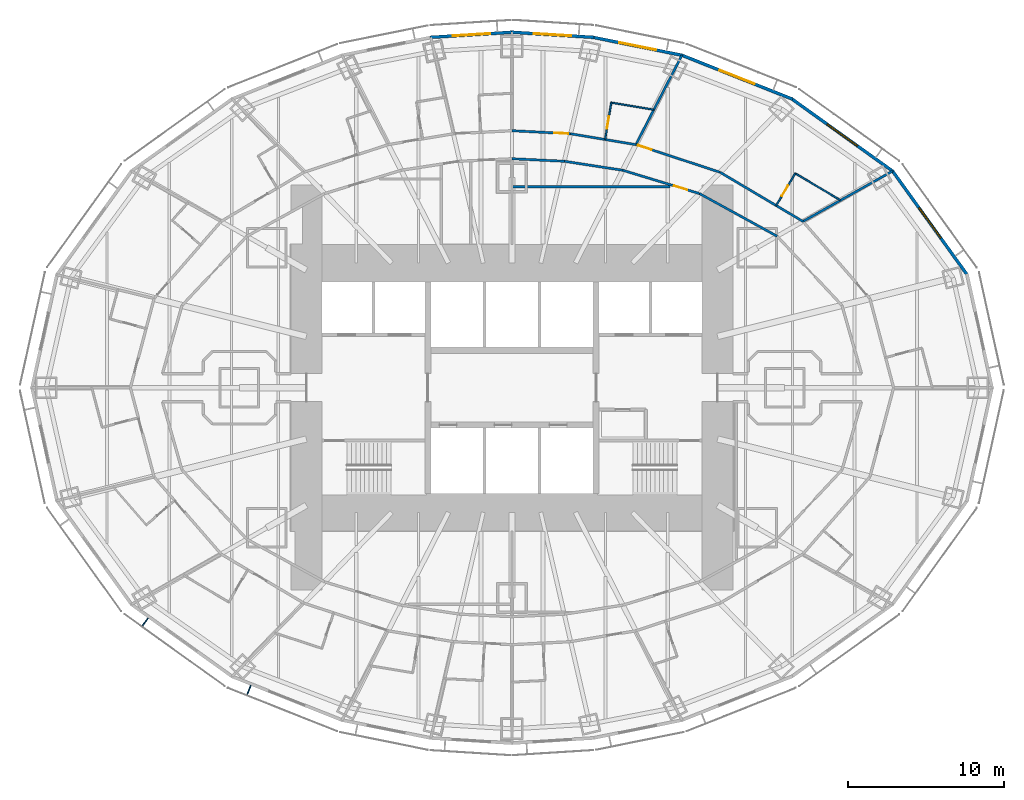
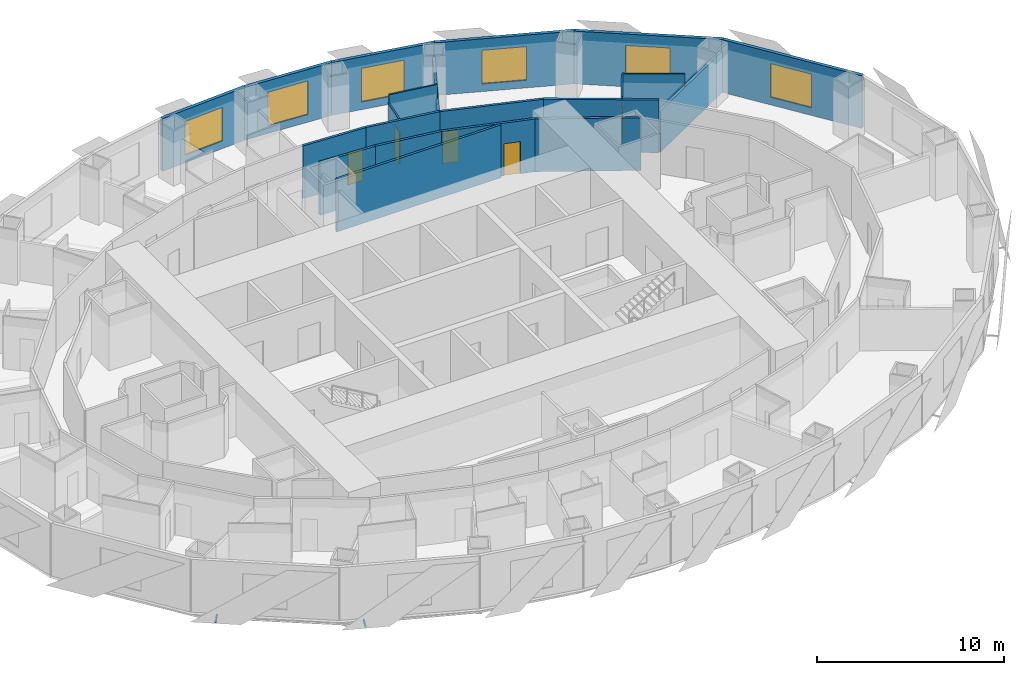
# One storey, part 10 of 15: 21 walls, 6 windows, 5 doors, 2 discrete accessories, 11 openings.
"""IFC4 building model written with IfcOpenShell, lengths in metres."""

import ifcopenshell
import ifcopenshell.guid

model = None  # the IFC model being written
_history = None  # IfcOwnerHistory: only IFC2X3 demands one
_inside = {}  # id of a spatial element -> (the spatial element, [elements in it])
_under = {}  # id of a project, library or spatial element -> (it, [spatial elements below it])
_declared = {}  # id of a project -> (the project, [libraries it declares])
_typed = {}  # id of a type object -> (the type object, [elements of that type])
_made_of = {}  # id of a material, layer set ... -> (it, [elements and type objects made of it])


def new_model(schema):
    """Start an empty IFC model of exactly this schema.

    Asked for "IFC4X3", IfcOpenShell would pick the latest addendum, in which some entities
    have other attributes; the version numbers below select the first issue.
    IFC2X3 requires an IfcOwnerHistory on every rooted entity: one is made here for all.
    """
    global model, _history
    if schema == "IFC4X3":
        model = ifcopenshell.file(schema_version=(4, 3, 0, 0))
    else:
        model = ifcopenshell.file(schema=schema)
    _inside.clear()
    _under.clear()
    _declared.clear()
    _typed.clear()
    _made_of.clear()
    _history = None
    if model.schema == "IFC2X3":
        org = make("IfcOrganization", Name="unknown")
        user = make(
            "IfcPersonAndOrganization",
            ThePerson=make("IfcPerson", FamilyName="unknown"),
            TheOrganization=org,
        )
        app = make(
            "IfcApplication",
            ApplicationDeveloper=org,
            Version="unknown",
            ApplicationFullName="unknown",
            ApplicationIdentifier="unknown",
        )
        _history = make(
            "IfcOwnerHistory",
            OwningUser=user,
            OwningApplication=app,
            ChangeAction="ADDED",
            CreationDate=0,
        )
    return model


def make(cls, **values):
    """One entity of the class cls with the attributes given. An attribute that is None is left unset."""
    return model.create_entity(
        cls, **{name: value for name, value in values.items() if value is not None}
    )


def rooted(cls, **values):
    """An entity with a GlobalId (a new one), such as an element, a storey or a relation."""
    return make(cls, GlobalId=ifcopenshell.guid.new(), OwnerHistory=_history, **values)


def si_unit(unit_type, name, prefix=None):
    """IfcSIUnit, for example si_unit("LENGTHUNIT", "METRE", prefix="MILLI")."""
    return make("IfcSIUnit", UnitType=unit_type, Prefix=prefix, Name=name)


def assignment(units):
    """IfcUnitAssignment: the units of a project."""
    return None if units is None else make("IfcUnitAssignment", Units=units)


def point(xyz):
    """IfcCartesianPoint."""
    return None if xyz is None else make("IfcCartesianPoint", Coordinates=xyz)


def direction(xyz):
    """IfcDirection."""
    return None if xyz is None else make("IfcDirection", DirectionRatios=xyz)


def frame(location, z_axis=None, x_axis=None):
    """IfcAxis2Placement3D, a coordinate frame: its origin and axes. An axis left out is left unset."""
    return make(
        "IfcAxis2Placement3D",
        Location=point(location),
        Axis=direction(z_axis),
        RefDirection=direction(x_axis),
    )


def frame_2d(location, x_axis=None):
    """IfcAxis2Placement2D, a coordinate frame in the plane: its origin and x axis."""
    return make(
        "IfcAxis2Placement2D", Location=point(location), RefDirection=direction(x_axis)
    )


def origin():
    """The frame at (0, 0, 0) with its axes left unset."""
    return frame((0.0, 0.0, 0.0))


def origin_2d():
    """The frame at (0, 0) in the plane with its x axis left unset."""
    return frame_2d((0.0, 0.0))


def place(relative_to, where):
    """IfcLocalPlacement: puts the frame where relative to a parent placement (None: the world)."""
    return make(
        "IfcLocalPlacement", PlacementRelTo=relative_to, RelativePlacement=where
    )


def context(
    kind, dimensions, precision=None, world=None, true_north=None, identifier=None
):
    """IfcGeometricRepresentationContext, for example the 3D "Model" context."""
    return make(
        "IfcGeometricRepresentationContext",
        ContextIdentifier=identifier,
        ContextType=kind,
        CoordinateSpaceDimension=dimensions,
        Precision=precision,
        WorldCoordinateSystem=world,
        TrueNorth=true_north,
    )


def subcontext(parent, identifier, kind, view, scale=None):
    """IfcGeometricRepresentationSubContext, for example "Body" below "Model"."""
    return make(
        "IfcGeometricRepresentationSubContext",
        ContextIdentifier=identifier,
        ContextType=kind,
        ParentContext=parent,
        TargetScale=scale,
        TargetView=view,
    )


def project(units=None, contexts=None):
    """IfcProject with its units and contexts."""
    return rooted(
        "IfcProject",
        Name="project",
        RepresentationContexts=contexts,
        UnitsInContext=assignment(units),
    )


def spatial(cls, under=None, at=None, **own):
    """A site, building, storey or space (cls), placed at a placement, below another one or the project."""
    s = rooted(cls, ObjectPlacement=at, **own)
    if under is not None:
        _under.setdefault(under.id(), (under, []))[1].append(s)
    return s


def profile(cls, at=None, kind="AREA", **sizes):
    """A parametric profile (cls). Its sizes go by their IFC names, for example OverallWidth=200.0."""
    return make(cls, ProfileType=kind, Position=at, **sizes)


def rectangle(**sizes):
    """IfcRectangleProfileDef."""
    return profile("IfcRectangleProfileDef", **sizes)


def extrude(swept, where, along, depth):
    """IfcExtrudedAreaSolid: the profile swept, set in the frame where, extruded along a direction by depth."""
    return make(
        "IfcExtrudedAreaSolid",
        SweptArea=swept,
        Position=where,
        ExtrudedDirection=direction(along),
        Depth=depth,
    )


def shape(context_of_items, identifier, shape_type, items):
    """IfcShapeRepresentation: the items that make up one representation, for example the "Body"."""
    return make(
        "IfcShapeRepresentation",
        ContextOfItems=context_of_items,
        RepresentationIdentifier=identifier,
        RepresentationType=shape_type,
        Items=items,
    )


def material(Name=None, Category=None):
    """IfcMaterial."""
    return make("IfcMaterial", Name=Name, Category=Category)


def layer(
    of_material, thickness, ventilated=None, Name=None, Category=None, Priority=None
):
    """IfcMaterialLayer: one layer of a wall or slab, of a material (None: an air gap)."""
    return make(
        "IfcMaterialLayer",
        Material=of_material,
        LayerThickness=thickness,
        IsVentilated=ventilated,
        Name=Name,
        Category=Category,
        Priority=Priority,
    )


def layer_set(layers, Name=None):
    """IfcMaterialLayerSet."""
    return make("IfcMaterialLayerSet", MaterialLayers=layers, LayerSetName=Name)


def made_of(thing, what):
    """Note that an element or type object is made of a material, layer set ...; save() writes the relation."""
    if what is not None:
        _made_of.setdefault(what.id(), (what, []))[1].append(thing)
    return thing


def type_object(cls, material=None, **own):
    """A type object (cls), such as IfcWallType, which elements share."""
    return made_of(rooted(cls, **own), material)


def element(
    cls,
    number,
    at=None,
    inside=None,
    cuts=None,
    type_object=None,
    material=None,
    context=None,
    identifier="Body",
    shape_type=None,
    held_by="IfcProductDefinitionShape",
    body=None,
    shapes=None,
    **own,
):
    """One element of the class cls, such as IfcWall. Its Tag is "e" and its number.

    at: its placement. inside: the storey or other place that contains it. cuts: it is an
    opening in that element (IfcRelVoidsElement). A single representation is given by context,
    identifier, shape_type and body (its items); several are given by shapes. held_by: the class
    of the entity that holds the representations. save() writes the other relations.
    """
    e = rooted(cls, Tag="e%d" % number, ObjectPlacement=at, **own)
    if body is not None:
        shapes = [shape(context, identifier, shape_type, body)]
    if shapes is not None:
        e.Representation = make(held_by, Representations=shapes)
    if inside is not None:
        _inside.setdefault(inside.id(), (inside, []))[1].append(e)
    if cuts is not None:
        rooted(
            "IfcRelVoidsElement", RelatingBuildingElement=cuts, RelatedOpeningElement=e
        )
    if type_object is not None:
        _typed.setdefault(type_object.id(), (type_object, []))[1].append(e)
    return made_of(e, material)


def fill(opening, filler):
    """IfcRelFillsElement: the door or window that sits in an opening."""
    return rooted(
        "IfcRelFillsElement",
        RelatingOpeningElement=opening,
        RelatedBuildingElement=filler,
    )


def aggregate(whole, parts):
    """IfcRelAggregates: a whole, such as a stair, and the parts it consists of."""
    return rooted("IfcRelAggregates", RelatingObject=whole, RelatedObjects=parts)


def save(model, path):
    """Write the relations noted so far, then the file.

    IfcRelAggregates (storeys below a building ...), IfcRelContainedInSpatialStructure (elements
    in a storey), IfcRelDefinesByType, IfcRelAssociatesMaterial and IfcRelDeclares: one each for
    every whole, place, type object, material and project.
    """
    for whole, parts in _under.values():
        aggregate(whole, parts)
    for where, things in _inside.values():
        rooted(
            "IfcRelContainedInSpatialStructure",
            RelatedElements=things,
            RelatingStructure=where,
        )
    for kind, things in _typed.values():
        rooted("IfcRelDefinesByType", RelatedObjects=things, RelatingType=kind)
    for what, things in _made_of.values():
        rooted("IfcRelAssociatesMaterial", RelatedObjects=things, RelatingMaterial=what)
    for by, libraries in _declared.values():
        rooted("IfcRelDeclares", RelatingContext=by, RelatedDefinitions=libraries)
    model.write(path)


model = new_model("IFC4")

# Units and contexts
model_context = context("Model", 3, precision=1e-05, world=origin(), true_north=direction((0.0, 1.0)))
body_context = subcontext(model_context, "Body", "Model", "MODEL_VIEW")
ifc_project = project(units=[si_unit("LENGTHUNIT", "METRE"), si_unit("AREAUNIT", "SQUARE_METRE"), si_unit("VOLUMEUNIT", "CUBIC_METRE"), si_unit("PLANEANGLEUNIT", "RADIAN"), si_unit("MASSUNIT", "GRAM", prefix="KILO")], contexts=[model_context])

# Site, building, storey
site_placement = place(None, origin())
site = spatial("IfcSite", under=ifc_project, at=site_placement, CompositionType="ELEMENT")
building_placement = place(site_placement, origin())
building = spatial("IfcBuilding", under=site, at=building_placement, Name="Lantaw Convention Tower", CompositionType="ELEMENT")
storey_placement = place(building_placement, frame((0.0, 0.0, 58.60009765625)))
storey = spatial("IfcBuildingStorey", under=building, at=storey_placement, Name="L12", CompositionType="ELEMENT", Elevation=58.60009765625)

# Wall
ifc_material_1 = material(Name="Gypsum board on steel studs", Category="steel")
ifc_layer_1 = layer(ifc_material_1, 0.14990234375)
ifc_layer_set_1 = layer_set([ifc_layer_1], Name="Back of house wall 150")
wall_type_1 = type_object("IfcWallType", Name="Back of house wall 150", PredefinedType="PARTITIONING", material=ifc_layer_set_1)
wall_1_placement = place(storey_placement, frame((10.15283203125, 12.89990234375, 0.0), z_axis=(0.0, 0.0, 1.0), x_axis=(-1.0, 0.0, 0.0)))
element("IfcWall", 1, at=wall_1_placement, inside=storey, type_object=wall_type_1, Name="Back of house wall 150", PredefinedType="PARTITIONING", context=body_context, shape_type="SweptSolid", body=[
    extrude(rectangle(XDim=10.15283203125, YDim=0.14990234375, at=frame_2d((5.076416015625, 0.0))), origin(), (0.0, 0.0, 1.0), 3.449951171875),
])

# Wall, opening, door
ifc_material_2 = material(Name="Moisture resistant gypsum board on steel studs", Category="steel")
ifc_layer_2 = layer(ifc_material_2, 0.10009765625)
ifc_layer_set_2 = layer_set([ifc_layer_2], Name="Bathroom wall 100")
wall_type_2 = type_object("IfcWallType", Name="Bathroom wall 100", PredefinedType="PARTITIONING", material=ifc_layer_set_2)
wall_2_placement = place(storey_placement, frame((16.961181640625, 11.6953125, 0.0), z_axis=(0.0, 0.0, 1.0), x_axis=(0.510075642074, 0.860129548012, 0.0)))
wall_2 = element("IfcWall", 2, at=wall_2_placement, inside=storey, type_object=wall_type_2, Name="Bathroom wall 100", PredefinedType="PARTITIONING", context=body_context, shape_type="SweptSolid", body=[
    extrude(rectangle(XDim=2.39990234375, YDim=0.10009765625, at=frame_2d((1.199951171875, 0.0))), origin(), (0.0, 0.0, 1.0), 3.449951171875),
])
opening_1_placement = place(wall_2_placement, frame((0.699951171875, 0.0, 0.0)))
opening_1 = element("IfcOpeningElement", 3, at=opening_1_placement, cuts=wall_2, Name="Opening L12.27", PredefinedType="OPENING", context=body_context, shape_type="SweptSolid", body=[
    extrude(rectangle(XDim=0.800048828125, YDim=2.10009765625, at=frame_2d((0.39990234375, 1.050048828125))), frame((0.0, 0.06005859375, 0.0), z_axis=(0.0, -1.0, 0.0), x_axis=(1.0, 0.0, 0.0)), (0.0, 0.0, 1.0), 0.1201171875),
])
ifc_material_3 = material(Name="Timber", Category="wood")
door_type_1 = type_object("IfcDoorType", Name="Bathroom door 800", OperationType="SINGLE_SWING_LEFT", PredefinedType="DOOR", material=ifc_material_3)
door_1_placement = place(opening_1_placement, origin())
door_1 = element("IfcDoor", 4, at=door_1_placement, inside=storey, type_object=door_type_1, Name="Bathroom door", OperationType="SINGLE_SWING_LEFT", OverallHeight=2.10009765625, OverallWidth=0.800048828125, PredefinedType="DOOR", context=body_context, shape_type="SweptSolid", body=[
    extrude(rectangle(XDim=0.800048828125, YDim=2.10009765625, at=frame_2d((0.39990234375, 1.050048828125))), frame((0.0, 0.02490234375, 0.0), z_axis=(0.0, -1.0, 0.0), x_axis=(1.0, 0.0, 0.0)), (0.0, 0.0, 1.0), 0.050048828125),
])
fill(opening_1, door_1)

# Wall
wall_3_placement = place(storey_placement, frame((18.185302734375, 13.759521484375, 0.0), z_axis=(0.0, 0.0, 1.0), x_axis=(0.860146437071, -0.510047161343, 0.0)))
element("IfcWall", 5, at=wall_3_placement, inside=storey, type_object=wall_type_2, Name="Bathroom wall 100", PredefinedType="PARTITIONING", context=body_context, shape_type="SweptSolid", body=[
    extrude(rectangle(XDim=3.362548828125, YDim=0.10009765625, at=frame_2d((1.68115234375, 0.0))), origin(), (0.0, 0.0, 1.0), 3.449951171875),
])

# Wall, opening, door
wall_4_placement = place(storey_placement, frame((5.979248046875, 15.935302734375, 0.0), z_axis=(0.0, 0.0, 1.0), x_axis=(0.164283516215, 0.986413162067, 0.0)))
wall_4 = element("IfcWall", 6, at=wall_4_placement, inside=storey, type_object=wall_type_2, Name="Bathroom wall 100", PredefinedType="PARTITIONING", context=body_context, shape_type="SweptSolid", body=[
    extrude(rectangle(XDim=2.400146484375, YDim=0.10009765625, at=frame_2d((1.2001953125, 0.0))), origin(), (0.0, 0.0, 1.0), 2.9140625),
])
opening_2_placement = place(wall_4_placement, frame((0.699951171875, 0.0, 0.0)))
opening_2 = element("IfcOpeningElement", 7, at=opening_2_placement, cuts=wall_4, Name="Opening L12.29", PredefinedType="OPENING", context=body_context, shape_type="SweptSolid", body=[
    extrude(rectangle(XDim=0.800048828125, YDim=2.10009765625, at=frame_2d((0.39990234375, 1.050048828125))), frame((0.0, 0.06005859375, 0.0), z_axis=(0.0, -1.0, 0.0), x_axis=(1.0, 0.0, 0.0)), (0.0, 0.0, 1.0), 0.1201171875),
])
door_2_placement = place(opening_2_placement, origin())
door_2 = element("IfcDoor", 8, at=door_2_placement, inside=storey, type_object=door_type_1, Name="Bathroom door", OperationType="SINGLE_SWING_LEFT", OverallHeight=2.10009765625, OverallWidth=0.800048828125, PredefinedType="DOOR", context=body_context, shape_type="SweptSolid", body=[
    extrude(rectangle(XDim=0.800048828125, YDim=2.10009765625, at=frame_2d((0.39990234375, 1.050048828125))), frame((0.0, 0.02490234375, 0.0), z_axis=(0.0, -1.0, 0.0), x_axis=(1.0, 0.0, 0.0)), (0.0, 0.0, 1.0), 0.050048828125),
])
fill(opening_2, door_2)

# Walls
wall_5_placement = place(storey_placement, frame((6.37353515625, 18.302734375, 0.0), z_axis=(0.0, 0.0, 1.0), x_axis=(0.98640348956, -0.164341582641, 0.0)))
element("IfcWall", 9, at=wall_5_placement, inside=storey, type_object=wall_type_2, Name="Bathroom wall 100", PredefinedType="PARTITIONING", context=body_context, shape_type="SweptSolid", body=[
    extrude(rectangle(XDim=2.7587890625, YDim=0.10009765625, at=frame_2d((1.37939453125, 0.0))), origin(), (0.0, 0.0, 1.0), 3.449951171875),
])
ifc_material_4 = material(Name="Gypsum board on steel studs, fire rated", Category="steel")
ifc_layer_3 = layer(ifc_material_4, 0.14990234375)
ifc_layer_set_3 = layer_set([ifc_layer_3], Name="Corridor wall 150 EI 60")
wall_type_3 = type_object("IfcWallType", Name="Corridor wall 150 EI 60", PredefinedType="PARTITIONING", material=ifc_layer_set_3)
wall_6_placement = place(storey_placement, frame((18.681396484375, 10.675048828125, 0.0), z_axis=(0.0, 0.0, 1.0), x_axis=(-0.860147339762, 0.510045639036, 0.0)))
element("IfcWall", 10, at=wall_6_placement, inside=storey, type_object=wall_type_3, Name="Corridor wall 150", PredefinedType="PARTITIONING", context=body_context, shape_type="SweptSolid", body=[
    extrude(rectangle(XDim=6.189697265625, YDim=0.14990234375, at=frame_2d((3.0947265625, 0.0))), origin(), (0.0, 0.0, 1.0), 3.449951171875),
])

# Wall, opening, door
wall_7_placement = place(storey_placement, frame((13.357421875, 13.83203125, 0.0), z_axis=(0.0, 0.0, 1.0), x_axis=(-0.950106803111, 0.311924770869, 0.0)))
wall_7 = element("IfcWall", 11, at=wall_7_placement, inside=storey, type_object=wall_type_3, Name="Corridor wall 150", PredefinedType="PARTITIONING", context=body_context, shape_type="SweptSolid", body=[
    extrude(rectangle(XDim=5.689453125, YDim=0.14990234375, at=frame_2d((2.8447265625, 0.0))), origin(), (0.0, 0.0, 1.0), 3.449951171875),
])
opening_3_placement = place(wall_7_placement, frame((4.639404296875, 0.0, 0.0)))
opening_3 = element("IfcOpeningElement", 12, at=opening_3_placement, cuts=wall_7, Name="Opening L12.28", PredefinedType="OPENING", context=body_context, shape_type="SweptSolid", body=[
    extrude(rectangle(XDim=0.89990234375, YDim=2.10009765625, at=frame_2d((0.449951171875, 1.050048828125))), frame((0.0, 0.0849609375, 0.0), z_axis=(0.0, -1.0, 0.0), x_axis=(1.0, 0.0, 0.0)), (0.0, 0.0, 1.0), 0.169921875),
])
ifc_material_5 = material(Name="Steel, fire rated", Category="steel")
door_type_2 = type_object("IfcDoorType", Name="Guest room entrance door FD30S", OperationType="SINGLE_SWING_LEFT", PredefinedType="DOOR", material=ifc_material_5)
door_3_placement = place(opening_3_placement, origin())
door_3 = element("IfcDoor", 13, at=door_3_placement, inside=storey, type_object=door_type_2, Name="Junior suite entrance door", OperationType="SINGLE_SWING_LEFT", OverallHeight=2.10009765625, OverallWidth=0.89990234375, PredefinedType="DOOR", context=body_context, shape_type="SweptSolid", body=[
    extrude(rectangle(XDim=0.89990234375, YDim=2.10009765625, at=frame_2d((0.449951171875, 1.050048828125))), frame((0.0, 0.02490234375, 0.0), z_axis=(0.0, -1.0, 0.0), x_axis=(1.0, 0.0, 0.0)), (0.0, 0.0, 1.0), 0.050048828125),
])
fill(opening_3, door_3)

# Wall
wall_8_placement = place(storey_placement, frame((7.951904296875, 15.606689453125, 0.0), z_axis=(0.0, 0.0, 1.0), x_axis=(-0.98641101506, 0.164296407044, 0.0)))
element("IfcWall", 14, at=wall_8_placement, inside=storey, type_object=wall_type_3, Name="Corridor wall 150", PredefinedType="PARTITIONING", context=body_context, shape_type="SweptSolid", body=[
    extrude(rectangle(XDim=4.245361328125, YDim=0.14990234375, at=frame_2d((2.12255859375, 0.0))), origin(), (0.0, 0.0, 1.0), 3.449951171875),
])

# Wall, opening, door
wall_9_placement = place(storey_placement, frame((3.76416015625, 16.30419921875, 0.0), z_axis=(0.0, 0.0, 1.0), x_axis=(-0.998649848759, 0.05194689186, 0.0)))
wall_9 = element("IfcWall", 15, at=wall_9_placement, inside=storey, type_object=wall_type_3, Name="Corridor wall 150", PredefinedType="PARTITIONING", context=body_context, shape_type="SweptSolid", body=[
    extrude(rectangle(XDim=3.769287109375, YDim=0.14990234375, at=frame_2d((1.884765625, 0.0))), origin(), (0.0, 0.0, 1.0), 3.449951171875),
])
opening_4_placement = place(wall_9_placement, frame((0.14990234375, 0.0, 0.0)))
opening_4 = element("IfcOpeningElement", 16, at=opening_4_placement, cuts=wall_9, Name="Opening L12.30", PredefinedType="OPENING", context=body_context, shape_type="SweptSolid", body=[
    extrude(rectangle(XDim=0.89990234375, YDim=2.10009765625, at=frame_2d((0.449951171875, 1.050048828125))), frame((0.0, 0.0849609375, 0.0), z_axis=(0.0, -1.0, 0.0), x_axis=(1.0, 0.0, 0.0)), (0.0, 0.0, 1.0), 0.169921875),
])
door_4_placement = place(opening_4_placement, origin())
door_4 = element("IfcDoor", 17, at=door_4_placement, inside=storey, type_object=door_type_2, Name="Junior suite entrance door", OperationType="SINGLE_SWING_LEFT", OverallHeight=2.10009765625, OverallWidth=0.89990234375, PredefinedType="DOOR", context=body_context, shape_type="SweptSolid", body=[
    extrude(rectangle(XDim=0.89990234375, YDim=2.10009765625, at=frame_2d((0.449951171875, 1.050048828125))), frame((0.0, 0.02490234375, 0.0), z_axis=(0.0, -1.0, 0.0), x_axis=(1.0, 0.0, 0.0)), (0.0, 0.0, 1.0), 0.050048828125),
])
fill(opening_4, door_4)

# Wall
wall_10_placement = place(storey_placement, frame((17.020751953125, 9.72607421875, 0.0), z_axis=(0.0, 0.0, 1.0), x_axis=(-0.876522084062, 0.481361647986, 0.0)))
element("IfcWall", 18, at=wall_10_placement, inside=storey, type_object=wall_type_3, Name="Corridor wall 150", PredefinedType="PARTITIONING", context=body_context, shape_type="SweptSolid", body=[
    extrude(rectangle(XDim=5.68701171875, YDim=0.14990234375, at=frame_2d((2.843505859375, 0.0))), origin(), (0.0, 0.0, 1.0), 3.449951171875),
])

# Wall, opening, door
wall_11_placement = place(storey_placement, frame((12.035888671875, 12.463623046875, 0.0), z_axis=(0.0, 0.0, 1.0), x_axis=(-0.956795045135, 0.290763205385, 0.0)))
wall_11 = element("IfcWall", 19, at=wall_11_placement, inside=storey, type_object=wall_type_3, Name="Corridor wall 150", PredefinedType="PARTITIONING", context=body_context, shape_type="SweptSolid", body=[
    extrude(rectangle(XDim=5.1455078125, YDim=0.14990234375, at=frame_2d((2.57275390625, 0.0))), origin(), (0.0, 0.0, 1.0), 3.449951171875),
])
opening_5_placement = place(wall_11_placement, frame((0.81640625, 0.0, 0.0)))
opening_5 = element("IfcOpeningElement", 20, at=opening_5_placement, cuts=wall_11, Name="Opening L12.15", PredefinedType="OPENING", context=body_context, shape_type="SweptSolid", body=[
    extrude(rectangle(XDim=0.89990234375, YDim=2.10009765625, at=frame_2d((0.449951171875, 1.050048828125))), frame((0.0, 0.0849609375, 0.0), z_axis=(0.0, -1.0, 0.0), x_axis=(1.0, 0.0, 0.0)), (0.0, 0.0, 1.0), 0.169921875),
])
door_type_3 = type_object("IfcDoorType", Name="Service door 900 FD30", OperationType="SINGLE_SWING_LEFT", PredefinedType="DOOR", material=ifc_material_5)
door_5_placement = place(opening_5_placement, origin())
door_5 = element("IfcDoor", 21, at=door_5_placement, inside=storey, type_object=door_type_3, Name="Linen store room door", OperationType="SINGLE_SWING_LEFT", OverallHeight=2.10009765625, OverallWidth=0.89990234375, PredefinedType="DOOR", context=body_context, shape_type="SweptSolid", body=[
    extrude(rectangle(XDim=0.89990234375, YDim=2.10009765625, at=frame_2d((0.449951171875, 1.050048828125))), frame((0.0, 0.02490234375, 0.0), z_axis=(0.0, -1.0, 0.0), x_axis=(1.0, 0.0, 0.0)), (0.0, 0.0, 1.0), 0.050048828125),
])
fill(opening_5, door_5)

# Walls
wall_12_placement = place(storey_placement, frame((7.11279296875, 13.959716796875, 0.0), z_axis=(0.0, 0.0, 1.0), x_axis=(-0.988343461108, 0.152240608529, 0.0)))
element("IfcWall", 22, at=wall_12_placement, inside=storey, type_object=wall_type_3, Name="Corridor wall 150", PredefinedType="PARTITIONING", context=body_context, shape_type="SweptSolid", body=[
    extrude(rectangle(XDim=3.800537109375, YDim=0.14990234375, at=frame_2d((1.900390625, 0.0))), origin(), (0.0, 0.0, 1.0), 3.449951171875),
])
wall_13_placement = place(storey_placement, frame((3.3564453125, 14.538330078125, 0.0), z_axis=(0.0, 0.0, 1.0), x_axis=(-0.998842682549, 0.048096730859, 0.0)))
element("IfcWall", 23, at=wall_13_placement, inside=storey, type_object=wall_type_3, Name="Corridor wall 150", PredefinedType="PARTITIONING", context=body_context, shape_type="SweptSolid", body=[
    extrude(rectangle(XDim=3.3603515625, YDim=0.14990234375, at=frame_2d((1.68017578125, 0.0))), origin(), (0.0, 0.0, 1.0), 3.449951171875),
])

# Wall, opening, window
ifc_material_6 = material(Name="Insulated aluminium panel on steel frame", Category="steel")
ifc_layer_4 = layer(ifc_material_6, 0.199951171875)
ifc_layer_set_4 = layer_set([ifc_layer_4], Name="External wall 200")
wall_type_4 = type_object("IfcWallType", Name="External wall 200", PredefinedType="SOLIDWALL", material=ifc_layer_set_4)
wall_14_placement = place(storey_placement, frame((29.260498046875, 7.199951171875, 0.0), z_axis=(0.0, 0.0, 1.0), x_axis=(-0.583937613703, 0.811798536155, 0.0)))
wall_14 = element("IfcWall", 24, at=wall_14_placement, inside=storey, type_object=wall_type_4, Name="Facade panel wall", PredefinedType="SOLIDWALL", context=body_context, shape_type="SweptSolid", body=[
    extrude(rectangle(XDim=8.322998046875, YDim=0.199951171875, at=frame_2d((4.16162109375, 0.0))), origin(), (0.0, 0.0, 1.0), 3.449951171875),
])
opening_6_placement = place(wall_14_placement, frame((2.96142578125, 0.0, 0.5)))
opening_6 = element("IfcOpeningElement", 25, at=opening_6_placement, cuts=wall_14, Name="Opening W1", PredefinedType="OPENING", context=body_context, shape_type="SweptSolid", body=[
    extrude(rectangle(XDim=2.39990234375, YDim=2.199951171875, at=frame_2d((1.199951171875, 1.10009765625))), frame((0.0, 0.10986328125, 0.0), z_axis=(0.0, -1.0, 0.0), x_axis=(1.0, 0.0, 0.0)), (0.0, 0.0, 1.0), 0.219970703125),
])
ifc_material_7 = material(Name="Aluminium frame, clear insulating glass", Category="aluminium")
window_type = type_object("IfcWindowType", Name="Guest room window 2400x2200", PartitioningType="SINGLE_PANEL", PredefinedType="WINDOW", material=ifc_material_7)
window_1_placement = place(opening_6_placement, origin())
window_1 = element("IfcWindow", 26, at=window_1_placement, inside=storey, type_object=window_type, Name="Guest room window", OverallHeight=2.199951171875, OverallWidth=2.39990234375, PartitioningType="SINGLE_PANEL", PredefinedType="WINDOW", context=body_context, shape_type="SweptSolid", body=[
    extrude(rectangle(XDim=2.39990234375, YDim=2.199951171875, at=frame_2d((1.199951171875, 1.10009765625))), frame((0.0, 0.030029296875, 0.0), z_axis=(0.0, -1.0, 0.0), x_axis=(1.0, 0.0, 0.0)), (0.0, 0.0, 1.0), 0.06005859375),
])
fill(opening_6, window_1)

wall_15_placement = place(storey_placement, frame((24.482421875, 13.87451171875, 0.0), z_axis=(0.0, 0.0, 1.0), x_axis=(-0.812791321576, 0.582554948112, 0.0)))
wall_15 = element("IfcWall", 27, at=wall_15_placement, inside=storey, type_object=wall_type_4, Name="Facade panel wall", PredefinedType="SOLIDWALL", context=body_context, shape_type="SweptSolid", body=[
    extrude(rectangle(XDim=8.063232421875, YDim=0.199951171875, at=frame_2d((4.03173828125, 0.0))), origin(), (0.0, 0.0, 1.0), 3.449951171875),
])
opening_7_placement = place(wall_15_placement, frame((2.83154296875, 0.0, 0.5)))
opening_7 = element("IfcOpeningElement", 28, at=opening_7_placement, cuts=wall_15, Name="Opening W1", PredefinedType="OPENING", context=body_context, shape_type="SweptSolid", body=[
    extrude(rectangle(XDim=2.39990234375, YDim=2.199951171875, at=frame_2d((1.199951171875, 1.10009765625))), frame((0.0, 0.10986328125, 0.0), z_axis=(0.0, -1.0, 0.0), x_axis=(1.0, 0.0, 0.0)), (0.0, 0.0, 1.0), 0.219970703125),
])
window_2_placement = place(opening_7_placement, origin())
window_2 = element("IfcWindow", 29, at=window_2_placement, inside=storey, type_object=window_type, Name="Guest room window", OverallHeight=2.199951171875, OverallWidth=2.39990234375, PartitioningType="SINGLE_PANEL", PredefinedType="WINDOW", context=body_context, shape_type="SweptSolid", body=[
    extrude(rectangle(XDim=2.39990234375, YDim=2.199951171875, at=frame_2d((1.199951171875, 1.10009765625))), frame((0.0, 0.030029296875, 0.0), z_axis=(0.0, -1.0, 0.0), x_axis=(1.0, 0.0, 0.0)), (0.0, 0.0, 1.0), 0.06005859375),
])
fill(opening_7, window_2)

wall_16_placement = place(storey_placement, frame((18.018310546875, 18.522705078125, 0.0), z_axis=(0.0, 0.0, 1.0), x_axis=(-0.929358351251, 0.369178892895, 0.0)))
wall_16 = element("IfcWall", 30, at=wall_16_placement, inside=storey, type_object=wall_type_4, Name="Facade panel wall", PredefinedType="SOLIDWALL", context=body_context, shape_type="SweptSolid", body=[
    extrude(rectangle(XDim=7.6923828125, YDim=0.199951171875, at=frame_2d((3.84619140625, 0.0))), origin(), (0.0, 0.0, 1.0), 3.449951171875),
])
opening_8_placement = place(wall_16_placement, frame((2.64599609375, 0.0, 0.5)))
opening_8 = element("IfcOpeningElement", 31, at=opening_8_placement, cuts=wall_16, Name="Opening W1", PredefinedType="OPENING", context=body_context, shape_type="SweptSolid", body=[
    extrude(rectangle(XDim=2.39990234375, YDim=2.199951171875, at=frame_2d((1.199951171875, 1.10009765625))), frame((0.0, 0.10986328125, 0.0), z_axis=(0.0, -1.0, 0.0), x_axis=(1.0, 0.0, 0.0)), (0.0, 0.0, 1.0), 0.219970703125),
])
window_3_placement = place(opening_8_placement, origin())
window_3 = element("IfcWindow", 32, at=window_3_placement, inside=storey, type_object=window_type, Name="Guest room window", OverallHeight=2.199951171875, OverallWidth=2.39990234375, PartitioningType="SINGLE_PANEL", PredefinedType="WINDOW", context=body_context, shape_type="SweptSolid", body=[
    extrude(rectangle(XDim=2.39990234375, YDim=2.199951171875, at=frame_2d((1.199951171875, 1.10009765625))), frame((0.0, 0.030029296875, 0.0), z_axis=(0.0, -1.0, 0.0), x_axis=(1.0, 0.0, 0.0)), (0.0, 0.0, 1.0), 0.06005859375),
])
fill(opening_8, window_3)

wall_17_placement = place(storey_placement, frame((10.956787109375, 21.336669921875, 0.0), z_axis=(0.0, 0.0, 1.0), x_axis=(-0.980251657452, 0.197754110105, 0.0)))
wall_17 = element("IfcWall", 33, at=wall_17_placement, inside=storey, type_object=wall_type_4, Name="Facade panel wall", PredefinedType="SOLIDWALL", context=body_context, shape_type="SweptSolid", body=[
    extrude(rectangle(XDim=5.90380859375, YDim=0.199951171875, at=frame_2d((2.951904296875, 0.0))), origin(), (0.0, 0.0, 1.0), 3.449951171875),
])
opening_9_placement = place(wall_17_placement, frame((1.751708984375, 0.0, 0.5)))
opening_9 = element("IfcOpeningElement", 34, at=opening_9_placement, cuts=wall_17, Name="Opening W1", PredefinedType="OPENING", context=body_context, shape_type="SweptSolid", body=[
    extrude(rectangle(XDim=2.39990234375, YDim=2.199951171875, at=frame_2d((1.199951171875, 1.10009765625))), frame((0.0, 0.10986328125, 0.0), z_axis=(0.0, -1.0, 0.0), x_axis=(1.0, 0.0, 0.0)), (0.0, 0.0, 1.0), 0.219970703125),
])
window_4_placement = place(opening_9_placement, origin())
window_4 = element("IfcWindow", 35, at=window_4_placement, inside=storey, type_object=window_type, Name="Guest room window", OverallHeight=2.199951171875, OverallWidth=2.39990234375, PartitioningType="SINGLE_PANEL", PredefinedType="WINDOW", context=body_context, shape_type="SweptSolid", body=[
    extrude(rectangle(XDim=2.39990234375, YDim=2.199951171875, at=frame_2d((1.199951171875, 1.10009765625))), frame((0.0, 0.030029296875, 0.0), z_axis=(0.0, -1.0, 0.0), x_axis=(1.0, 0.0, 0.0)), (0.0, 0.0, 1.0), 0.06005859375),
])
fill(opening_9, window_4)

wall_18_placement = place(storey_placement, frame((5.252685546875, 22.493408203125, 0.0), z_axis=(0.0, 0.0, 1.0), x_axis=(-0.998018582375, 0.062919863585, 0.0)))
wall_18 = element("IfcWall", 36, at=wall_18_placement, inside=storey, type_object=wall_type_4, Name="Facade panel wall", PredefinedType="SOLIDWALL", context=body_context, shape_type="SweptSolid", body=[
    extrude(rectangle(XDim=5.30419921875, YDim=0.199951171875, at=frame_2d((2.652099609375, 0.0))), origin(), (0.0, 0.0, 1.0), 3.449951171875),
])
opening_10_placement = place(wall_18_placement, frame((1.4521484375, 0.0, 0.5)))
opening_10 = element("IfcOpeningElement", 37, at=opening_10_placement, cuts=wall_18, Name="Opening W1", PredefinedType="OPENING", context=body_context, shape_type="SweptSolid", body=[
    extrude(rectangle(XDim=2.39990234375, YDim=2.199951171875, at=frame_2d((1.199951171875, 1.10009765625))), frame((0.0, 0.10986328125, 0.0), z_axis=(0.0, -1.0, 0.0), x_axis=(1.0, 0.0, 0.0)), (0.0, 0.0, 1.0), 0.219970703125),
])
window_5_placement = place(opening_10_placement, origin())
window_5 = element("IfcWindow", 38, at=window_5_placement, inside=storey, type_object=window_type, Name="Guest room window", OverallHeight=2.199951171875, OverallWidth=2.39990234375, PartitioningType="SINGLE_PANEL", PredefinedType="WINDOW", context=body_context, shape_type="SweptSolid", body=[
    extrude(rectangle(XDim=2.39990234375, YDim=2.199951171875, at=frame_2d((1.199951171875, 1.10009765625))), frame((0.0, 0.030029296875, 0.0), z_axis=(0.0, -1.0, 0.0), x_axis=(1.0, 0.0, 0.0)), (0.0, 0.0, 1.0), 0.06005859375),
])
fill(opening_10, window_5)

wall_19_placement = place(storey_placement, frame((0.041015625, 22.8271484375, 0.0), z_axis=(0.0, 0.0, 1.0), x_axis=(-0.998018582375, -0.062919863585, 0.0)))
wall_19 = element("IfcWall", 39, at=wall_19_placement, inside=storey, type_object=wall_type_4, Name="Facade panel wall", PredefinedType="SOLIDWALL", context=body_context, shape_type="SweptSolid", body=[
    extrude(rectangle(XDim=5.30419921875, YDim=0.199951171875, at=frame_2d((2.652099609375, 0.0))), origin(), (0.0, 0.0, 1.0), 3.449951171875),
])
opening_11_placement = place(wall_19_placement, frame((1.4521484375, 0.0, 0.5)))
opening_11 = element("IfcOpeningElement", 40, at=opening_11_placement, cuts=wall_19, Name="Opening W1", PredefinedType="OPENING", context=body_context, shape_type="SweptSolid", body=[
    extrude(rectangle(XDim=2.39990234375, YDim=2.199951171875, at=frame_2d((1.199951171875, 1.10009765625))), frame((0.0, 0.10986328125, 0.0), z_axis=(0.0, -1.0, 0.0), x_axis=(1.0, 0.0, 0.0)), (0.0, 0.0, 1.0), 0.219970703125),
])
window_6_placement = place(opening_11_placement, origin())
window_6 = element("IfcWindow", 41, at=window_6_placement, inside=storey, type_object=window_type, Name="Guest room window", OverallHeight=2.199951171875, OverallWidth=2.39990234375, PartitioningType="SINGLE_PANEL", PredefinedType="WINDOW", context=body_context, shape_type="SweptSolid", body=[
    extrude(rectangle(XDim=2.39990234375, YDim=2.199951171875, at=frame_2d((1.199951171875, 1.10009765625))), frame((0.0, 0.030029296875, 0.0), z_axis=(0.0, -1.0, 0.0), x_axis=(1.0, 0.0, 0.0)), (0.0, 0.0, 1.0), 0.06005859375),
])
fill(opening_11, window_6)

# Walls
ifc_material_8 = material(Name="Gypsum board on steel studs, acoustic", Category="steel")
ifc_layer_5 = layer(ifc_material_8, 0.14990234375)
ifc_layer_set_5 = layer_set([ifc_layer_5], Name="Guest room party wall 150")
wall_type_5 = type_object("IfcWallType", Name="Guest room party wall 150", PredefinedType="PARTITIONING", material=ifc_layer_set_5)
wall_20_placement = place(storey_placement, frame((24.434814453125, 13.90869140625, 0.0), z_axis=(0.0, 0.0, 1.0), x_axis=(-0.871747379892, -0.489955616001, 0.0)))
element("IfcWall", 42, at=wall_20_placement, inside=storey, type_object=wall_type_5, Name="Guest room party wall 150", PredefinedType="PARTITIONING", context=body_context, shape_type="SweptSolid", body=[
    extrude(rectangle(XDim=6.599853515625, YDim=0.14990234375, at=frame_2d((3.2998046875, 0.0))), origin(), (0.0, 0.0, 1.0), 2.69287109375),
])
wall_21_placement = place(storey_placement, frame((10.911865234375, 21.345703125, 0.0), z_axis=(0.0, 0.0, 1.0), x_axis=(-0.458384799126, -0.888753833145, 0.0)))
element("IfcWall", 43, at=wall_21_placement, inside=storey, type_object=wall_type_5, Name="Guest room party wall 150", PredefinedType="PARTITIONING", context=body_context, shape_type="SweptSolid", body=[
    extrude(rectangle(XDim=6.457275390625, YDim=0.14990234375, at=frame_2d((3.228515625, 0.0))), origin(), (0.0, 0.0, 1.0), 2.52783203125),
])

# Discrete accessories
for number, where, z_axis, x_axis, name in (
    (44, (-23.564453125, -15.06640625, -0.115234375), (0.0, 0.0, 1.0), (0.812803733199, -0.5825376308, 0.0), "Screen bracket"),
    (45, (-16.898193359375, -19.4345703125, -0.115234375), (0.0, 0.0, 1.0), (0.929361152748, -0.369171840425, 0.0), "Screen bracket"),
):
    element("IfcDiscreteAccessory", number, at=place(storey_placement, frame(where, z_axis=z_axis, x_axis=x_axis)), inside=storey, Name=name, PredefinedType="BRACKET", context=body_context, shape_type="SweptSolid", body=[
        extrude(rectangle(XDim=0.080078125, YDim=0.68798828125, at=origin_2d()), origin(), (0.0, 0.0, 1.0), 0.080078125),
    ])

save(model, "model.ifc")
